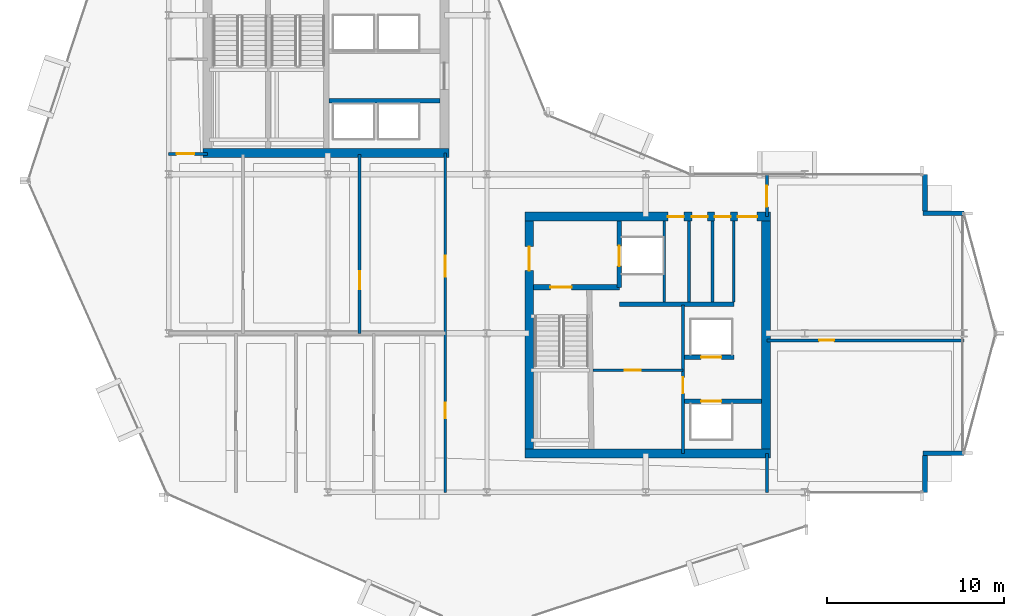
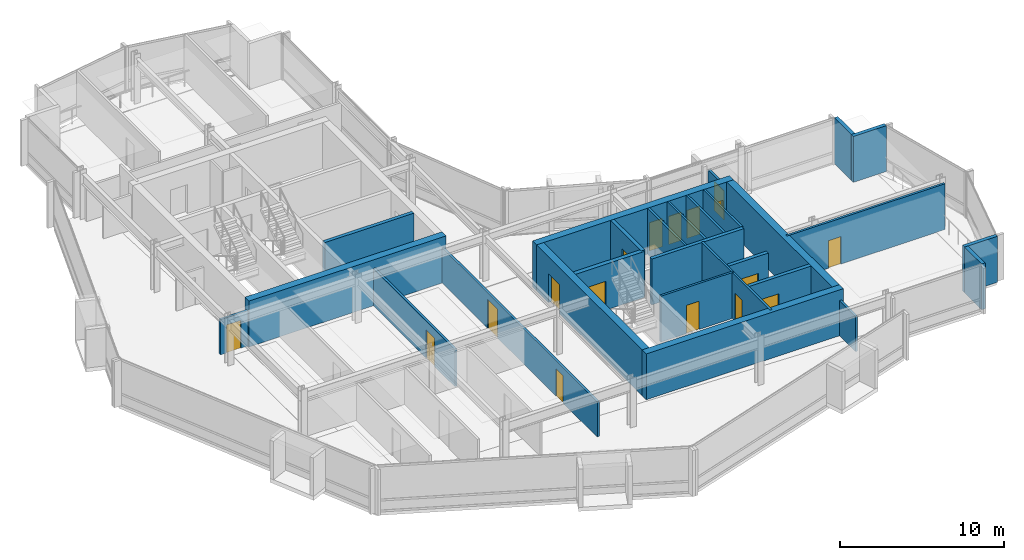
# One storey, part 22 of 28: 27 walls, 17 doors, 17 openings.
"""IFC4 building model written with IfcOpenShell, lengths in metres."""

from ifc_helpers import new_model, si_unit, direction, frame, frame_2d, origin, place, context, subcontext, project, spatial, rectangle, extrude, material, layer, layer_set, type_object, element, fill, save


model = new_model("IFC4")

# Units and contexts
model_context = context("Model", 3, precision=1e-05, world=origin(), true_north=direction((0.0, 1.0)))
body_context = subcontext(model_context, "Body", "Model", "MODEL_VIEW")
ifc_project = project(units=[si_unit("LENGTHUNIT", "METRE"), si_unit("AREAUNIT", "SQUARE_METRE"), si_unit("VOLUMEUNIT", "CUBIC_METRE"), si_unit("PLANEANGLEUNIT", "RADIAN"), si_unit("MASSUNIT", "GRAM", prefix="KILO")], contexts=[model_context])

# Site, building, storey
site_placement = place(None, origin())
site = spatial("IfcSite", under=ifc_project, at=site_placement, CompositionType="ELEMENT")
building_placement = place(site_placement, origin())
building = spatial("IfcBuilding", under=site, at=building_placement, Name="Solvaryn Broadcast Tower", CompositionType="ELEMENT")
storey_placement = place(building_placement, frame((0.0, 0.0, 150.699951171875)))
storey = spatial("IfcBuildingStorey", under=building, at=storey_placement, Name="L37", CompositionType="ELEMENT", Elevation=150.699951171875)

# Walls
ifc_material_1 = material(Name="Concrete f'c 70 MPa", Category="concrete")
ifc_layer_1 = layer(ifc_material_1, 0.5)
ifc_layer_set_1 = layer_set([ifc_layer_1], Name="CW-SHEAR-500")
wall_type_1 = type_object("IfcWallType", Name="CW-SHEAR-500", PredefinedType="SHEAR", material=ifc_layer_set_1)
for number, where, z_axis, x_axis, name in (
    (1, (10.949951171875, 28.199951171875, 0.0), (0.0, 0.0, 1.0), (1.0, 0.0, 0.0), "L37 West Core South Shear Wall"),
    (2, (29.14990234375, 11.199951171875, 0.0), (0.0, 0.0, 1.0), (1.0, 0.0, 0.0), "L37 East Core South Shear Wall"),
):
    element("IfcWall", number, at=place(storey_placement, frame(where, z_axis=z_axis, x_axis=x_axis)), inside=storey, type_object=wall_type_1, Name=name, PredefinedType="SHEAR", context=body_context, shape_type="SweptSolid", body=[
        extrude(rectangle(XDim=13.900146484375, YDim=0.5, at=frame_2d((6.9501953125, 0.0))), origin(), (0.0, 0.0, 1.0), 3.420166015625),
    ])

# Wall, openings, doors
wall_1_placement = place(storey_placement, frame((43.050048828125, 24.60009765625, 0.0), z_axis=(0.0, 0.0, 1.0), x_axis=(-1.0, 0.0, 0.0)))
wall_1 = element("IfcWall", 3, at=wall_1_placement, inside=storey, type_object=wall_type_1, Name="L37 East Core North Shear Wall", PredefinedType="SHEAR", context=body_context, shape_type="SweptSolid", body=[
    extrude(rectangle(XDim=13.900146484375, YDim=0.5, at=frame_2d((6.9501953125, 0.0))), origin(), (0.0, 0.0, 1.0), 3.420166015625),
])
opening_1_placement = place(wall_1_placement, frame((0.75, 0.0, 0.0)))
opening_1 = element("IfcOpeningElement", 4, at=opening_1_placement, cuts=wall_1, Name="Opening FD90C", PredefinedType="OPENING", context=body_context, shape_type="SweptSolid", body=[
    extrude(rectangle(XDim=1.10009765625, YDim=2.14990234375, at=frame_2d((0.550048828125, 1.074951171875))), frame((0.0, 0.260009765625, 0.0), z_axis=(0.0, -1.0, 0.0), x_axis=(1.0, 0.0, 0.0)), (0.0, 0.0, 1.0), 0.52001953125),
])
opening_2_placement = place(wall_1_placement, frame((2.25, 0.0, 0.0)))
opening_2 = element("IfcOpeningElement", 5, at=opening_2_placement, cuts=wall_1, Name="Opening FD60C", PredefinedType="OPENING", context=body_context, shape_type="SweptSolid", body=[
    extrude(rectangle(XDim=0.89990234375, YDim=2.10009765625, at=frame_2d((0.449951171875, 1.050048828125))), frame((0.0, 0.260009765625, 0.0), z_axis=(0.0, -1.0, 0.0), x_axis=(1.0, 0.0, 0.0)), (0.0, 0.0, 1.0), 0.52001953125),
])
opening_3_placement = place(wall_1_placement, frame((3.550048828125, 0.0, 0.0)))
opening_3 = element("IfcOpeningElement", 6, at=opening_3_placement, cuts=wall_1, Name="Opening FD60C", PredefinedType="OPENING", context=body_context, shape_type="SweptSolid", body=[
    extrude(rectangle(XDim=0.89990234375, YDim=2.10009765625, at=frame_2d((0.449951171875, 1.050048828125))), frame((0.0, 0.260009765625, 0.0), z_axis=(0.0, -1.0, 0.0), x_axis=(1.0, 0.0, 0.0)), (0.0, 0.0, 1.0), 0.52001953125),
])
opening_4_placement = place(wall_1_placement, frame((4.89990234375, 0.0, 0.0)))
opening_4 = element("IfcOpeningElement", 7, at=opening_4_placement, cuts=wall_1, Name="Opening FD60C", PredefinedType="OPENING", context=body_context, shape_type="SweptSolid", body=[
    extrude(rectangle(XDim=0.89990234375, YDim=2.10009765625, at=frame_2d((0.449951171875, 1.050048828125))), frame((0.0, 0.260009765625, 0.0), z_axis=(0.0, -1.0, 0.0), x_axis=(1.0, 0.0, 0.0)), (0.0, 0.0, 1.0), 0.52001953125),
])
ifc_material_2 = material(Name="Flush Acoustic Steel and Timber Door Assembly", Category="steel")
door_type_1 = type_object("IfcDoorType", Name="FD60-SERV-900X2100", OperationType="NOTDEFINED", PredefinedType="DOOR", material=ifc_material_2)
door_1_placement = place(opening_2_placement, origin())
door_1 = element("IfcDoor", 8, at=door_1_placement, inside=storey, type_object=door_type_1, Name="L37 Core Wellness Room Door", OperationType="SINGLE_SWING_RIGHT", OverallHeight=2.10009765625, OverallWidth=0.89990234375, PredefinedType="DOOR", context=body_context, shape_type="SweptSolid", body=[
    extrude(rectangle(XDim=0.89990234375, YDim=2.10009765625, at=frame_2d((0.449951171875, 1.050048828125))), frame((0.0, 0.02490234375, 0.0), z_axis=(0.0, -1.0, 0.0), x_axis=(1.0, 0.0, 0.0)), (0.0, 0.0, 1.0), 0.050048828125),
])
fill(opening_2, door_1)
door_2_placement = place(opening_3_placement, origin())
door_2 = element("IfcDoor", 9, at=door_2_placement, inside=storey, type_object=door_type_1, Name="L37 Staff Restroom Door", OperationType="SINGLE_SWING_LEFT", OverallHeight=2.10009765625, OverallWidth=0.89990234375, PredefinedType="DOOR", context=body_context, shape_type="SweptSolid", body=[
    extrude(rectangle(XDim=0.89990234375, YDim=2.10009765625, at=frame_2d((0.449951171875, 1.050048828125))), frame((0.0, 0.02490234375, 0.0), z_axis=(0.0, -1.0, 0.0), x_axis=(1.0, 0.0, 0.0)), (0.0, 0.0, 1.0), 0.050048828125),
])
fill(opening_3, door_2)
door_3_placement = place(opening_4_placement, origin())
door_3 = element("IfcDoor", 10, at=door_3_placement, inside=storey, type_object=door_type_1, Name="L37 Accessible WC Door", OperationType="SINGLE_SWING_RIGHT", OverallHeight=2.10009765625, OverallWidth=0.89990234375, PredefinedType="DOOR", context=body_context, shape_type="SweptSolid", body=[
    extrude(rectangle(XDim=0.89990234375, YDim=2.10009765625, at=frame_2d((0.449951171875, 1.050048828125))), frame((0.0, 0.02490234375, 0.0), z_axis=(0.0, -1.0, 0.0), x_axis=(1.0, 0.0, 0.0)), (0.0, 0.0, 1.0), 0.050048828125),
])
fill(opening_4, door_3)
ifc_material_3 = material(Name="Flush Acoustic Steel and Timber Door Assembly", Category="steel")
door_type_2 = type_object("IfcDoorType", Name="FD90-PLANT-1100X2150", OperationType="NOTDEFINED", PredefinedType="DOOR", material=ifc_material_3)
door_4_placement = place(opening_1_placement, origin())
door_4 = element("IfcDoor", 11, at=door_4_placement, inside=storey, type_object=door_type_2, Name="L37 East Core Lobby Corridor Door", OperationType="SINGLE_SWING_LEFT", OverallHeight=2.14990234375, OverallWidth=1.10009765625, PredefinedType="DOOR", context=body_context, shape_type="SweptSolid", body=[
    extrude(rectangle(XDim=1.10009765625, YDim=2.14990234375, at=frame_2d((0.550048828125, 1.074951171875))), frame((0.0, 0.02490234375, 0.0), z_axis=(0.0, -1.0, 0.0), x_axis=(1.0, 0.0, 0.0)), (0.0, 0.0, 1.0), 0.050048828125),
])
fill(opening_1, door_4)

# Wall, opening, door
wall_2_placement = place(storey_placement, frame((29.39990234375, 24.35009765625, 0.0), z_axis=(0.0, 0.0, 1.0), x_axis=(0.0, -1.0, 0.0)))
wall_2 = element("IfcWall", 12, at=wall_2_placement, inside=storey, type_object=wall_type_1, Name="L37 East Core West Shear Wall", PredefinedType="SHEAR", context=body_context, shape_type="SweptSolid", body=[
    extrude(rectangle(XDim=12.900146484375, YDim=0.5, at=frame_2d((6.4501953125, 0.0))), origin(), (0.0, 0.0, 1.0), 3.420166015625),
])
opening_5_placement = place(wall_2_placement, frame((1.449951171875, 0.0, 0.0)))
opening_5 = element("IfcOpeningElement", 13, at=opening_5_placement, cuts=wall_2, Name="Opening FD90B", PredefinedType="OPENING", context=body_context, shape_type="SweptSolid", body=[
    extrude(rectangle(XDim=1.35009765625, YDim=2.14990234375, at=frame_2d((0.675048828125, 1.074951171875))), frame((0.0, 0.260009765625, 0.0), z_axis=(0.0, -1.0, 0.0), x_axis=(1.0, 0.0, 0.0)), (0.0, 0.0, 1.0), 0.52001953125),
])
ifc_material_4 = material(Name="Flush Acoustic Steel and Timber Door Assembly", Category="steel")
door_type_3 = type_object("IfcDoorType", Name="FD90-LOBBY-1350X2150", OperationType="NOTDEFINED", PredefinedType="DOOR", material=ifc_material_4)
door_5_placement = place(opening_5_placement, origin())
door_5 = element("IfcDoor", 14, at=door_5_placement, inside=storey, type_object=door_type_3, Name="L37 East FSAE Lobby Door", OperationType="SINGLE_SWING_RIGHT", OverallHeight=2.14990234375, OverallWidth=1.35009765625, PredefinedType="DOOR", context=body_context, shape_type="SweptSolid", body=[
    extrude(rectangle(XDim=1.35009765625, YDim=2.14990234375, at=frame_2d((0.675048828125, 1.074951171875))), frame((0.0, 0.02490234375, 0.0), z_axis=(0.0, -1.0, 0.0), x_axis=(1.0, 0.0, 0.0)), (0.0, 0.0, 1.0), 0.050048828125),
])
fill(opening_5, door_5)

# Walls
wall_3_placement = place(storey_placement, frame((42.800048828125, 11.449951171875, 0.0), z_axis=(0.0, 0.0, 1.0), x_axis=(0.0, 1.0, 0.0)))
element("IfcWall", 15, at=wall_3_placement, inside=storey, type_object=wall_type_1, Name="L37 East Core East Shear Wall", PredefinedType="SHEAR", context=body_context, shape_type="SweptSolid", body=[
    extrude(rectangle(XDim=12.900146484375, YDim=0.5, at=frame_2d((6.4501953125, 0.0))), origin(), (0.0, 0.0, 1.0), 3.420166015625),
])
ifc_material_5 = material(Name="Concrete f'c 50 MPa", Category="concrete")
ifc_layer_2 = layer(ifc_material_5, 0.260009765625)
ifc_layer_set_2 = layer_set([ifc_layer_2], Name="EW-PIER-260")
wall_type_2 = type_object("IfcWallType", Name="EW-PIER-260", PredefinedType="SOLIDWALL", material=ifc_layer_set_2)
wall_4_placement = place(storey_placement, frame((51.800048828125, 9.0, 0.0), z_axis=(0.0, 0.0, 1.0), x_axis=(0.0, 1.0, 0.0)))
element("IfcWall", 16, at=wall_4_placement, inside=storey, type_object=wall_type_2, Name="L37 Notched Corner Pier Wall NSE1", PredefinedType="SOLIDWALL", context=body_context, shape_type="SweptSolid", body=[
    extrude(rectangle(XDim=2.080078125, YDim=0.260009765625, at=frame_2d((1.0400390625, 0.0))), origin(), (0.0, 0.0, 1.0), 3.420166015625),
])
for number, where, z_axis, x_axis, name in (
    (17, (51.679931640625, 11.199951171875, 0.0), (0.0, 0.0, 1.0), (1.0, 0.0, 0.0), "L37 Notched Corner Pier Wall NSE2"),
    (18, (54.0, 24.800048828125, 0.0), (0.0, 0.0, 1.0), (-1.0, 0.0, 0.0), "L37 Notched Corner Pier Wall NEE1"),
):
    element("IfcWall", number, at=place(storey_placement, frame(where, z_axis=z_axis, x_axis=x_axis)), inside=storey, type_object=wall_type_2, Name=name, PredefinedType="SOLIDWALL", context=body_context, shape_type="SweptSolid", body=[
        extrude(rectangle(XDim=2.320068359375, YDim=0.260009765625, at=frame_2d((1.16015625, 0.0))), origin(), (0.0, 0.0, 1.0), 3.420166015625),
    ])
wall_5_placement = place(storey_placement, frame((51.800048828125, 24.919921875, 0.0), z_axis=(0.0, 0.0, 1.0), x_axis=(0.0, 1.0, 0.0)))
element("IfcWall", 19, at=wall_5_placement, inside=storey, type_object=wall_type_2, Name="L37 Notched Corner Pier Wall NEE2", PredefinedType="SOLIDWALL", context=body_context, shape_type="SweptSolid", body=[
    extrude(rectangle(XDim=2.080078125, YDim=0.260009765625, at=frame_2d((1.0400390625, 0.0))), origin(), (0.0, 0.0, 1.0), 3.420166015625),
])

# Wall, opening, door
ifc_material_6 = material(Name="Metal-Stud Service Core Partition")
ifc_layer_3 = layer(ifc_material_6, 0.14990234375)
ifc_layer_set_3 = layer_set([ifc_layer_3], Name="IW-PART-150")
wall_type_3 = type_object("IfcWallType", Name="IW-PART-150", PredefinedType="PARTITIONING", material=ifc_layer_set_3)
wall_6_placement = place(storey_placement, frame((33.0, 15.89990234375, 0.0), z_axis=(0.0, 0.0, 1.0), x_axis=(1.0, 0.0, 0.0)))
wall_6 = element("IfcWall", 20, at=wall_6_placement, inside=storey, type_object=wall_type_3, Name="L37 Interior Partition IW-L37-RPL-H", PredefinedType="PARTITIONING", context=body_context, shape_type="SweptSolid", body=[
    extrude(rectangle(XDim=5.10009765625, YDim=0.14990234375, at=frame_2d((2.550048828125, 0.0))), origin(), (0.0, 0.0, 1.0), 3.420166015625),
])
opening_6_placement = place(wall_6_placement, frame((1.800048828125, 0.0, 0.0)))
opening_6 = element("IfcOpeningElement", 21, at=opening_6_placement, cuts=wall_6, Name="Opening FD60C", PredefinedType="OPENING", context=body_context, shape_type="SweptSolid", body=[
    extrude(rectangle(XDim=0.89990234375, YDim=2.10009765625, at=frame_2d((0.449951171875, 1.050048828125))), frame((0.0, 0.0849609375, 0.0), z_axis=(0.0, -1.0, 0.0), x_axis=(1.0, 0.0, 0.0)), (0.0, 0.0, 1.0), 0.169921875),
])
door_6_placement = place(opening_6_placement, origin())
door_6 = element("IfcDoor", 22, at=door_6_placement, inside=storey, type_object=door_type_1, Name="L37 Door DR-L37-RPL1", OperationType="SINGLE_SWING_LEFT", OverallHeight=2.10009765625, OverallWidth=0.89990234375, PredefinedType="DOOR", context=body_context, shape_type="SweptSolid", body=[
    extrude(rectangle(XDim=0.89990234375, YDim=2.10009765625, at=frame_2d((0.449951171875, 1.050048828125))), frame((0.0, 0.02490234375, 0.0), z_axis=(0.0, -1.0, 0.0), x_axis=(1.0, 0.0, 0.0)), (0.0, 0.0, 1.0), 0.050048828125),
])
fill(opening_6, door_6)

wall_7_placement = place(storey_placement, frame((38.10009765625, 11.199951171875, 0.0), z_axis=(0.0, 0.0, 1.0), x_axis=(0.0, 1.0, 0.0)))
wall_7 = element("IfcWall", 23, at=wall_7_placement, inside=storey, type_object=wall_type_3, Name="L37 Interior Partition IW-L37-RPL-E", PredefinedType="PARTITIONING", context=body_context, shape_type="SweptSolid", body=[
    extrude(rectangle(XDim=8.400146484375, YDim=0.14990234375, at=frame_2d((4.2001953125, 0.0))), origin(), (0.0, 0.0, 1.0), 3.420166015625),
])
opening_7_placement = place(wall_7_placement, frame((3.39990234375, 0.0, 0.0)))
opening_7 = element("IfcOpeningElement", 24, at=opening_7_placement, cuts=wall_7, Name="Opening FD60C", PredefinedType="OPENING", context=body_context, shape_type="SweptSolid", body=[
    extrude(rectangle(XDim=0.89990234375, YDim=2.10009765625, at=frame_2d((0.449951171875, 1.050048828125))), frame((0.0, 0.0849609375, 0.0), z_axis=(0.0, -1.0, 0.0), x_axis=(1.0, 0.0, 0.0)), (0.0, 0.0, 1.0), 0.169921875),
])
door_7_placement = place(opening_7_placement, origin())
door_7 = element("IfcDoor", 25, at=door_7_placement, inside=storey, type_object=door_type_1, Name="L37 Door DR-L37-RPL2", OperationType="SINGLE_SWING_RIGHT", OverallHeight=2.10009765625, OverallWidth=0.89990234375, PredefinedType="DOOR", context=body_context, shape_type="SweptSolid", body=[
    extrude(rectangle(XDim=0.89990234375, YDim=2.10009765625, at=frame_2d((0.449951171875, 1.050048828125))), frame((0.0, 0.02490234375, 0.0), z_axis=(0.0, -1.0, 0.0), x_axis=(1.0, 0.0, 0.0)), (0.0, 0.0, 1.0), 0.050048828125),
])
fill(opening_7, door_7)

# Walls
for number, where, z_axis, x_axis, name in (
    (26, (37.050048828125, 19.780029296875, 0.0), (0.0, 0.0, 1.0), (0.0, 1.0, 0.0), "L37 Interior Partition IW-L37-CE-FL2E"),
    (27, (38.43994140625, 19.780029296875, 0.0), (0.0, 0.0, 1.0), (0.0, 1.0, 0.0), "L37 Interior Partition IW-L37-CE-V1"),
    (28, (39.77001953125, 19.780029296875, 0.0), (0.0, 0.0, 1.0), (0.0, 1.0, 0.0), "L37 Interior Partition IW-L37-CE-V2"),
    (29, (40.97998046875, 19.780029296875, 0.0), (0.0, 0.0, 1.0), (0.0, 1.0, 0.0), "L37 Interior Partition IW-L37-CE-V3"),
):
    element("IfcWall", number, at=place(storey_placement, frame(where, z_axis=z_axis, x_axis=x_axis)), inside=storey, type_object=wall_type_3, Name=name, PredefinedType="PARTITIONING", context=body_context, shape_type="SweptSolid", body=[
        extrude(rectangle(XDim=4.570068359375, YDim=0.14990234375, at=frame_2d((2.28515625, 0.0))), origin(), (0.0, 0.0, 1.0), 3.420166015625),
    ])

# Wall, opening, door
ifc_material_7 = material(Name="Metal-Stud Gypsum Office Partition")
ifc_layer_4 = layer(ifc_material_7, 0.159912109375)
ifc_layer_set_4 = layer_set([ifc_layer_4], Name="IW-PART-160")
wall_type_4 = type_object("IfcWallType", Name="IW-PART-160", PredefinedType="PARTITIONING", material=ifc_layer_set_4)
wall_8_placement = place(storey_placement, frame((9.0, 28.14990234375, 0.0), z_axis=(0.0, 0.0, 1.0), x_axis=(1.0, 0.0, 0.0)))
wall_8 = element("IfcWall", 30, at=wall_8_placement, inside=storey, type_object=wall_type_4, Name="L37 Interior Partition IW-L37-WM-S", PredefinedType="PARTITIONING", context=body_context, shape_type="SweptSolid", body=[
    extrude(rectangle(XDim=2.199951171875, YDim=0.159912109375, at=frame_2d((1.10009765625, 0.0))), origin(), (0.0, 0.0, 1.0), 2.634033203125),
])
opening_8_placement = place(wall_8_placement, frame((0.449951171875, 0.0, 0.0)))
opening_8 = element("IfcOpeningElement", 31, at=opening_8_placement, cuts=wall_8, Name="Opening ID02", PredefinedType="OPENING", context=body_context, shape_type="SweptSolid", body=[
    extrude(rectangle(XDim=1.0, YDim=2.10009765625, at=frame_2d((0.5, 1.050048828125))), frame((0.0, 0.090087890625, 0.0), z_axis=(0.0, -1.0, 0.0), x_axis=(1.0, 0.0, 0.0)), (0.0, 0.0, 1.0), 0.179931640625),
])
ifc_material_8 = material(Name="Flush Acoustic Steel and Timber Door Assembly", Category="steel")
door_type_4 = type_object("IfcDoorType", Name="ID-02-1000X2100", OperationType="NOTDEFINED", PredefinedType="DOOR", material=ifc_material_8)
door_8_placement = place(opening_8_placement, origin())
door_8 = element("IfcDoor", 32, at=door_8_placement, inside=storey, type_object=door_type_4, Name="L37 Door DR-L37-WM0", OperationType="SINGLE_SWING_RIGHT", OverallHeight=2.10009765625, OverallWidth=1.0, PredefinedType="DOOR", context=body_context, shape_type="SweptSolid", body=[
    extrude(rectangle(XDim=1.0, YDim=2.10009765625, at=frame_2d((0.5, 1.050048828125))), frame((0.0, 0.02490234375, 0.0), z_axis=(0.0, -1.0, 0.0), x_axis=(1.0, 0.0, 0.0)), (0.0, 0.0, 1.0), 0.050048828125),
])
fill(opening_8, door_8)

# Wall, openings, doors
wall_9_placement = place(storey_placement, frame((24.64990234375, 9.0, 0.0), z_axis=(0.0, 0.0, 1.0), x_axis=(0.0, 1.0, 0.0)))
wall_9 = element("IfcWall", 33, at=wall_9_placement, inside=storey, type_object=wall_type_4, Name="L37 Interior Partition IW-L37-SW-EB", PredefinedType="PARTITIONING", context=body_context, shape_type="SweptSolid", body=[
    extrude(rectangle(XDim=19.199951171875, YDim=0.159912109375, at=frame_2d((9.60009765625, 0.0))), origin(), (0.0, 0.0, 1.0), 2.634033203125),
])
opening_9_placement = place(wall_9_placement, frame((12.199951171875, 0.0, 0.0)))
opening_9 = element("IfcOpeningElement", 34, at=opening_9_placement, cuts=wall_9, Name="Opening ID04", PredefinedType="OPENING", context=body_context, shape_type="SweptSolid", body=[
    extrude(rectangle(XDim=1.199951171875, YDim=2.14990234375, at=frame_2d((0.60009765625, 1.074951171875))), frame((0.0, 0.090087890625, 0.0), z_axis=(0.0, -1.0, 0.0), x_axis=(1.0, 0.0, 0.0)), (0.0, 0.0, 1.0), 0.179931640625),
])
opening_10_placement = place(wall_9_placement, frame((4.199951171875, 0.0, 0.0)))
opening_10 = element("IfcOpeningElement", 35, at=opening_10_placement, cuts=wall_9, Name="Opening ID07", PredefinedType="OPENING", context=body_context, shape_type="SweptSolid", body=[
    extrude(rectangle(XDim=0.860107421875, YDim=2.050048828125, at=frame_2d((0.43017578125, 1.02490234375))), frame((0.0, 0.090087890625, 0.0), z_axis=(0.0, -1.0, 0.0), x_axis=(1.0, 0.0, 0.0)), (0.0, 0.0, 1.0), 0.179931640625),
])
ifc_material_9 = material(Name="Flush Acoustic Steel and Timber Door Assembly", Category="steel")
door_type_5 = type_object("IfcDoorType", Name="ID-04-1200X2150", OperationType="NOTDEFINED", PredefinedType="DOOR", material=ifc_material_9)
door_9_placement = place(opening_9_placement, origin())
door_9 = element("IfcDoor", 36, at=door_9_placement, inside=storey, type_object=door_type_5, Name="L37 Door DR-L37-SW-EN", OperationType="SINGLE_SWING_RIGHT", OverallHeight=2.14990234375, OverallWidth=1.199951171875, PredefinedType="DOOR", context=body_context, shape_type="SweptSolid", body=[
    extrude(rectangle(XDim=1.199951171875, YDim=2.14990234375, at=frame_2d((0.60009765625, 1.074951171875))), frame((0.0, 0.02490234375, 0.0), z_axis=(0.0, -1.0, 0.0), x_axis=(1.0, 0.0, 0.0)), (0.0, 0.0, 1.0), 0.050048828125),
])
fill(opening_9, door_9)
ifc_material_10 = material(Name="Flush Acoustic Steel and Timber Door Assembly", Category="steel")
door_type_6 = type_object("IfcDoorType", Name="ID-07-860X2050", OperationType="NOTDEFINED", PredefinedType="DOOR", material=ifc_material_10)
door_10_placement = place(opening_10_placement, origin())
door_10 = element("IfcDoor", 37, at=door_10_placement, inside=storey, type_object=door_type_6, Name="L37 Door DR-L37-SW-ES", OperationType="SINGLE_SWING_LEFT", OverallHeight=2.050048828125, OverallWidth=0.860107421875, PredefinedType="DOOR", context=body_context, shape_type="SweptSolid", body=[
    extrude(rectangle(XDim=0.860107421875, YDim=2.050048828125, at=frame_2d((0.43017578125, 1.02490234375))), frame((0.0, 0.02490234375, 0.0), z_axis=(0.0, -1.0, 0.0), x_axis=(1.0, 0.0, 0.0)), (0.0, 0.0, 1.0), 0.050048828125),
])
fill(opening_10, door_10)

# Wall, opening, door
wall_10_placement = place(storey_placement, frame((19.800048828125, 18.0, 0.0), z_axis=(0.0, 0.0, 1.0), x_axis=(0.0, 1.0, 0.0)))
wall_10 = element("IfcWall", 38, at=wall_10_placement, inside=storey, type_object=wall_type_4, Name="L37 Interior Partition IW-L37-SWN-V2", PredefinedType="PARTITIONING", context=body_context, shape_type="SweptSolid", body=[
    extrude(rectangle(XDim=10.1298828125, YDim=0.159912109375, at=frame_2d((5.06494140625, 0.0))), origin(), (0.0, 0.0, 1.0), 2.7890625),
])
opening_11_placement = place(wall_10_placement, frame((2.5, 0.0, 0.0)))
opening_11 = element("IfcOpeningElement", 39, at=opening_11_placement, cuts=wall_10, Name="Opening ID02", PredefinedType="OPENING", context=body_context, shape_type="SweptSolid", body=[
    extrude(rectangle(XDim=1.0, YDim=2.10009765625, at=frame_2d((0.5, 1.050048828125))), frame((0.0, 0.090087890625, 0.0), z_axis=(0.0, -1.0, 0.0), x_axis=(1.0, 0.0, 0.0)), (0.0, 0.0, 1.0), 0.179931640625),
])
door_11_placement = place(opening_11_placement, origin())
door_11 = element("IfcDoor", 40, at=door_11_placement, inside=storey, type_object=door_type_4, Name="L37 Door DR-L37-SWN-2", OperationType="SINGLE_SWING_LEFT", OverallHeight=2.10009765625, OverallWidth=1.0, PredefinedType="DOOR", context=body_context, shape_type="SweptSolid", body=[
    extrude(rectangle(XDim=1.0, YDim=2.10009765625, at=frame_2d((0.5, 1.050048828125))), frame((0.0, 0.02490234375, 0.0), z_axis=(0.0, -1.0, 0.0), x_axis=(1.0, 0.0, 0.0)), (0.0, 0.0, 1.0), 0.050048828125),
])
fill(opening_11, door_11)

# Wall
wall_11_placement = place(storey_placement, frame((42.85009765625, 9.0, 0.0), z_axis=(0.0, 0.0, 1.0), x_axis=(0.0, 1.0, 0.0)))
element("IfcWall", 41, at=wall_11_placement, inside=storey, type_object=wall_type_4, Name="L37 Interior Partition IW-L37-SC-E", PredefinedType="PARTITIONING", context=body_context, shape_type="SweptSolid", body=[
    extrude(rectangle(XDim=2.199951171875, YDim=0.159912109375, at=frame_2d((1.10009765625, 0.0))), origin(), (0.0, 0.0, 1.0), 2.634033203125),
])

# Wall, opening, door
wall_12_placement = place(storey_placement, frame((42.85009765625, 24.60009765625, 0.0), z_axis=(0.0, 0.0, 1.0), x_axis=(0.0, 1.0, 0.0)))
wall_12 = element("IfcWall", 42, at=wall_12_placement, inside=storey, type_object=wall_type_4, Name="L37 Interior Partition IW-L37-EW-BN", PredefinedType="PARTITIONING", context=body_context, shape_type="SweptSolid", body=[
    extrude(rectangle(XDim=2.39990234375, YDim=0.159912109375, at=frame_2d((1.199951171875, 0.0))), origin(), (0.0, 0.0, 1.0), 2.634033203125),
])
opening_12_placement = place(wall_12_placement, frame((0.550048828125, 0.0, 0.0)))
opening_12 = element("IfcOpeningElement", 43, at=opening_12_placement, cuts=wall_12, Name="Opening ID04", PredefinedType="OPENING", context=body_context, shape_type="SweptSolid", body=[
    extrude(rectangle(XDim=1.199951171875, YDim=2.14990234375, at=frame_2d((0.60009765625, 1.074951171875))), frame((0.0, 0.090087890625, 0.0), z_axis=(0.0, -1.0, 0.0), x_axis=(1.0, 0.0, 0.0)), (0.0, 0.0, 1.0), 0.179931640625),
])
door_12_placement = place(opening_12_placement, origin())
door_12 = element("IfcDoor", 44, at=door_12_placement, inside=storey, type_object=door_type_5, Name="L37 Door DR-L37-EW0", OperationType="SINGLE_SWING_RIGHT", OverallHeight=2.14990234375, OverallWidth=1.199951171875, PredefinedType="DOOR", context=body_context, shape_type="SweptSolid", body=[
    extrude(rectangle(XDim=1.199951171875, YDim=2.14990234375, at=frame_2d((0.60009765625, 1.074951171875))), frame((0.0, 0.02490234375, 0.0), z_axis=(0.0, -1.0, 0.0), x_axis=(1.0, 0.0, 0.0)), (0.0, 0.0, 1.0), 0.050048828125),
])
fill(opening_12, door_12)

wall_13_placement = place(storey_placement, frame((42.85009765625, 17.60009765625, 0.0), z_axis=(0.0, 0.0, 1.0), x_axis=(1.0, 0.0, 0.0)))
wall_13 = element("IfcWall", 45, at=wall_13_placement, inside=storey, type_object=wall_type_4, Name="L37 Interior Partition IW-L37-EW-H1", PredefinedType="PARTITIONING", context=body_context, shape_type="SweptSolid", body=[
    extrude(rectangle(XDim=11.14990234375, YDim=0.159912109375, at=frame_2d((5.574951171875, 0.0))), origin(), (0.0, 0.0, 1.0), 3.420166015625),
])
opening_13_placement = place(wall_13_placement, frame((2.949951171875, 0.0, 0.0)))
opening_13 = element("IfcOpeningElement", 46, at=opening_13_placement, cuts=wall_13, Name="Opening ID07", PredefinedType="OPENING", context=body_context, shape_type="SweptSolid", body=[
    extrude(rectangle(XDim=0.860107421875, YDim=2.050048828125, at=frame_2d((0.43017578125, 1.02490234375))), frame((0.0, 0.090087890625, 0.0), z_axis=(0.0, -1.0, 0.0), x_axis=(1.0, 0.0, 0.0)), (0.0, 0.0, 1.0), 0.179931640625),
])
door_13_placement = place(opening_13_placement, origin())
door_13 = element("IfcDoor", 47, at=door_13_placement, inside=storey, type_object=door_type_6, Name="L37 Door DR-L37-EW-1", OperationType="SINGLE_SWING_LEFT", OverallHeight=2.050048828125, OverallWidth=0.860107421875, PredefinedType="DOOR", context=body_context, shape_type="SweptSolid", body=[
    extrude(rectangle(XDim=0.860107421875, YDim=2.050048828125, at=frame_2d((0.43017578125, 1.02490234375))), frame((0.0, 0.02490234375, 0.0), z_axis=(0.0, -1.0, 0.0), x_axis=(1.0, 0.0, 0.0)), (0.0, 0.0, 1.0), 0.050048828125),
])
fill(opening_13, door_13)

# Wall
ifc_material_11 = material(Name="Concrete f'c 60 MPa", Category="concrete")
ifc_layer_5 = layer(ifc_material_11, 0.25)
ifc_layer_set_5 = layer_set([ifc_layer_5], Name="SW-SHAFT-250")
wall_type_5 = type_object("IfcWallType", Name="SW-SHAFT-250", PredefinedType="PARTITIONING", material=ifc_layer_set_5)
wall_14_placement = place(storey_placement, frame((18.070068359375, 31.14990234375, 0.0), z_axis=(0.0, 0.0, 1.0), x_axis=(1.0, 0.0, 0.0)))
element("IfcWall", 48, at=wall_14_placement, inside=storey, type_object=wall_type_5, Name="L37 High-Rise Lift Bank South Wall", PredefinedType="PARTITIONING", context=body_context, shape_type="SweptSolid", body=[
    extrude(rectangle(XDim=6.280029296875, YDim=0.25, at=frame_2d((3.14013671875, 0.0))), origin(), (0.0, 0.0, 1.0), 3.420166015625),
])

# Wall, opening, door
wall_15_placement = place(storey_placement, frame((34.5, 20.60009765625, 0.0), z_axis=(0.0, 0.0, 1.0), x_axis=(0.0, 1.0, 0.0)))
wall_15 = element("IfcWall", 49, at=wall_15_placement, inside=storey, type_object=wall_type_5, Name="L37 East FSAE Lobby East Wall", PredefinedType="PARTITIONING", context=body_context, shape_type="SweptSolid", body=[
    extrude(rectangle(XDim=3.75, YDim=0.25, at=frame_2d((1.875, 0.0))), origin(), (0.0, 0.0, 1.0), 3.420166015625),
])
opening_14_placement = place(wall_15_placement, frame((1.199951171875, 0.0, 0.0)))
opening_14 = element("IfcOpeningElement", 50, at=opening_14_placement, cuts=wall_15, Name="Opening LD01", PredefinedType="OPENING", context=body_context, shape_type="SweptSolid", body=[
    extrude(rectangle(XDim=1.14990234375, YDim=2.14990234375, at=frame_2d((0.574951171875, 1.074951171875))), frame((0.0, 0.135009765625, 0.0), z_axis=(0.0, -1.0, 0.0), x_axis=(1.0, 0.0, 0.0)), (0.0, 0.0, 1.0), 0.27001953125),
])
ifc_material_12 = material(Name="Flush Acoustic Steel and Timber Door Assembly", Category="steel")
door_type_7 = type_object("IfcDoorType", Name="LD-LIFT-1150X2150", OperationType="NOTDEFINED", PredefinedType="DOOR", material=ifc_material_12)
door_14_placement = place(opening_14_placement, origin())
door_14 = element("IfcDoor", 51, at=door_14_placement, inside=storey, type_object=door_type_7, Name="L37 FL2 Lift Landing Door", OperationType="DOUBLE_DOOR_SLIDING", OverallHeight=2.14990234375, OverallWidth=1.14990234375, PredefinedType="DOOR", context=body_context, shape_type="SweptSolid", body=[
    extrude(rectangle(XDim=1.14990234375, YDim=2.14990234375, at=frame_2d((0.574951171875, 1.074951171875))), frame((0.0, 0.02490234375, 0.0), z_axis=(0.0, -1.0, 0.0), x_axis=(1.0, 0.0, 0.0)), (0.0, 0.0, 1.0), 0.050048828125),
])
fill(opening_14, door_14)

# Wall
wall_16_placement = place(storey_placement, frame((34.5, 19.64990234375, 0.0), z_axis=(0.0, 0.0, 1.0), x_axis=(1.0, 0.0, 0.0)))
element("IfcWall", 52, at=wall_16_placement, inside=storey, type_object=wall_type_5, Name="L37 East Core Restroom South Wall", PredefinedType="PARTITIONING", context=body_context, shape_type="SweptSolid", body=[
    extrude(rectangle(XDim=6.47998046875, YDim=0.25, at=frame_2d((3.239990234375, 0.0))), origin(), (0.0, 0.0, 1.0), 3.420166015625),
])

# Wall, opening, door
wall_17_placement = place(storey_placement, frame((38.199951171875, 14.14990234375, 0.0), z_axis=(0.0, 0.0, 1.0), x_axis=(1.0, 0.0, 0.0)))
wall_17 = element("IfcWall", 53, at=wall_17_placement, inside=storey, type_object=wall_type_5, Name="L37 East Lift Bank South Wall", PredefinedType="PARTITIONING", context=body_context, shape_type="SweptSolid", body=[
    extrude(rectangle(XDim=4.35009765625, YDim=0.25, at=frame_2d((2.175048828125, 0.0))), origin(), (0.0, 0.0, 1.0), 3.420166015625),
])
opening_15_placement = place(wall_17_placement, frame((0.925048828125, 0.0, 0.0)))
opening_15 = element("IfcOpeningElement", 54, at=opening_15_placement, cuts=wall_17, Name="Opening LD01", PredefinedType="OPENING", context=body_context, shape_type="SweptSolid", body=[
    extrude(rectangle(XDim=1.14990234375, YDim=2.14990234375, at=frame_2d((0.574951171875, 1.074951171875))), frame((0.0, 0.135009765625, 0.0), z_axis=(0.0, -1.0, 0.0), x_axis=(1.0, 0.0, 0.0)), (0.0, 0.0, 1.0), 0.27001953125),
])
door_15_placement = place(opening_15_placement, origin())
door_15 = element("IfcDoor", 55, at=door_15_placement, inside=storey, type_object=door_type_7, Name="L37 PM1 Lift Landing Door", OperationType="DOUBLE_DOOR_SLIDING", OverallHeight=2.14990234375, OverallWidth=1.14990234375, PredefinedType="DOOR", context=body_context, shape_type="SweptSolid", body=[
    extrude(rectangle(XDim=1.14990234375, YDim=2.14990234375, at=frame_2d((0.574951171875, 1.074951171875))), frame((0.0, 0.02490234375, 0.0), z_axis=(0.0, -1.0, 0.0), x_axis=(1.0, 0.0, 0.0)), (0.0, 0.0, 1.0), 0.050048828125),
])
fill(opening_15, door_15)

wall_18_placement = place(storey_placement, frame((40.97998046875, 16.64990234375, 0.0), z_axis=(0.0, 0.0, 1.0), x_axis=(-1.0, 0.0, 0.0)))
wall_18 = element("IfcWall", 56, at=wall_18_placement, inside=storey, type_object=wall_type_5, Name="L37 East Lift Bank North Wall", PredefinedType="PARTITIONING", context=body_context, shape_type="SweptSolid", body=[
    extrude(rectangle(XDim=2.780029296875, YDim=0.25, at=frame_2d((1.39013671875, 0.0))), origin(), (0.0, 0.0, 1.0), 3.420166015625),
])
opening_16_placement = place(wall_18_placement, frame((0.705078125, 0.0, 0.0)))
opening_16 = element("IfcOpeningElement", 57, at=opening_16_placement, cuts=wall_18, Name="Opening LD01", PredefinedType="OPENING", context=body_context, shape_type="SweptSolid", body=[
    extrude(rectangle(XDim=1.14990234375, YDim=2.14990234375, at=frame_2d((0.574951171875, 1.074951171875))), frame((0.0, 0.135009765625, 0.0), z_axis=(0.0, -1.0, 0.0), x_axis=(1.0, 0.0, 0.0)), (0.0, 0.0, 1.0), 0.27001953125),
])
door_16_placement = place(opening_16_placement, origin())
door_16 = element("IfcDoor", 58, at=door_16_placement, inside=storey, type_object=door_type_7, Name="L37 PM2 Lift Landing Door", OperationType="DOUBLE_DOOR_SLIDING", OverallHeight=2.14990234375, OverallWidth=1.14990234375, PredefinedType="DOOR", context=body_context, shape_type="SweptSolid", body=[
    extrude(rectangle(XDim=1.14990234375, YDim=2.14990234375, at=frame_2d((0.574951171875, 1.074951171875))), frame((0.0, 0.02490234375, 0.0), z_axis=(0.0, -1.0, 0.0), x_axis=(1.0, 0.0, 0.0)), (0.0, 0.0, 1.0), 0.050048828125),
])
fill(opening_16, door_16)

ifc_material_13 = material(Name="Concrete f'c 70 MPa", Category="concrete")
ifc_layer_6 = layer(ifc_material_13, 0.300048828125)
ifc_layer_set_6 = layer_set([ifc_layer_6], Name="SW-SHAFT-300")
wall_type_6 = type_object("IfcWallType", Name="SW-SHAFT-300", PredefinedType="SHEAR", material=ifc_layer_set_6)
wall_19_placement = place(storey_placement, frame((34.5, 20.60009765625, 0.0), z_axis=(0.0, 0.0, 1.0), x_axis=(-1.0, 0.0, 0.0)))
wall_19 = element("IfcWall", 59, at=wall_19_placement, inside=storey, type_object=wall_type_6, Name="L37 East FSAE Lobby South Wall", PredefinedType="SHEAR", context=body_context, shape_type="SweptSolid", body=[
    extrude(rectangle(XDim=4.85009765625, YDim=0.300048828125, at=frame_2d((2.425048828125, 0.0))), origin(), (0.0, 0.0, 1.0), 3.420166015625),
])
opening_17_placement = place(wall_19_placement, frame((2.699951171875, 0.0, 0.0)))
opening_17 = element("IfcOpeningElement", 60, at=opening_17_placement, cuts=wall_19, Name="Opening FD90A", PredefinedType="OPENING", context=body_context, shape_type="SweptSolid", body=[
    extrude(rectangle(XDim=1.199951171875, YDim=2.14990234375, at=frame_2d((0.60009765625, 1.074951171875))), frame((0.0, 0.159912109375, 0.0), z_axis=(0.0, -1.0, 0.0), x_axis=(1.0, 0.0, 0.0)), (0.0, 0.0, 1.0), 0.320068359375),
])
ifc_material_14 = material(Name="Flush Acoustic Steel and Timber Door Assembly", Category="steel")
door_type_8 = type_object("IfcDoorType", Name="FD90-STAIR-1200X2150", OperationType="NOTDEFINED", PredefinedType="DOOR", material=ifc_material_14)
door_17_placement = place(opening_17_placement, origin())
door_17 = element("IfcDoor", 61, at=door_17_placement, inside=storey, type_object=door_type_8, Name="L37 Stair 3 Fire Door", OperationType="SINGLE_SWING_LEFT", OverallHeight=2.14990234375, OverallWidth=1.199951171875, PredefinedType="DOOR", context=body_context, shape_type="SweptSolid", body=[
    extrude(rectangle(XDim=1.199951171875, YDim=2.14990234375, at=frame_2d((0.60009765625, 1.074951171875))), frame((0.0, 0.02490234375, 0.0), z_axis=(0.0, -1.0, 0.0), x_axis=(1.0, 0.0, 0.0)), (0.0, 0.0, 1.0), 0.050048828125),
])
fill(opening_17, door_17)

save(model, "model.ifc")
